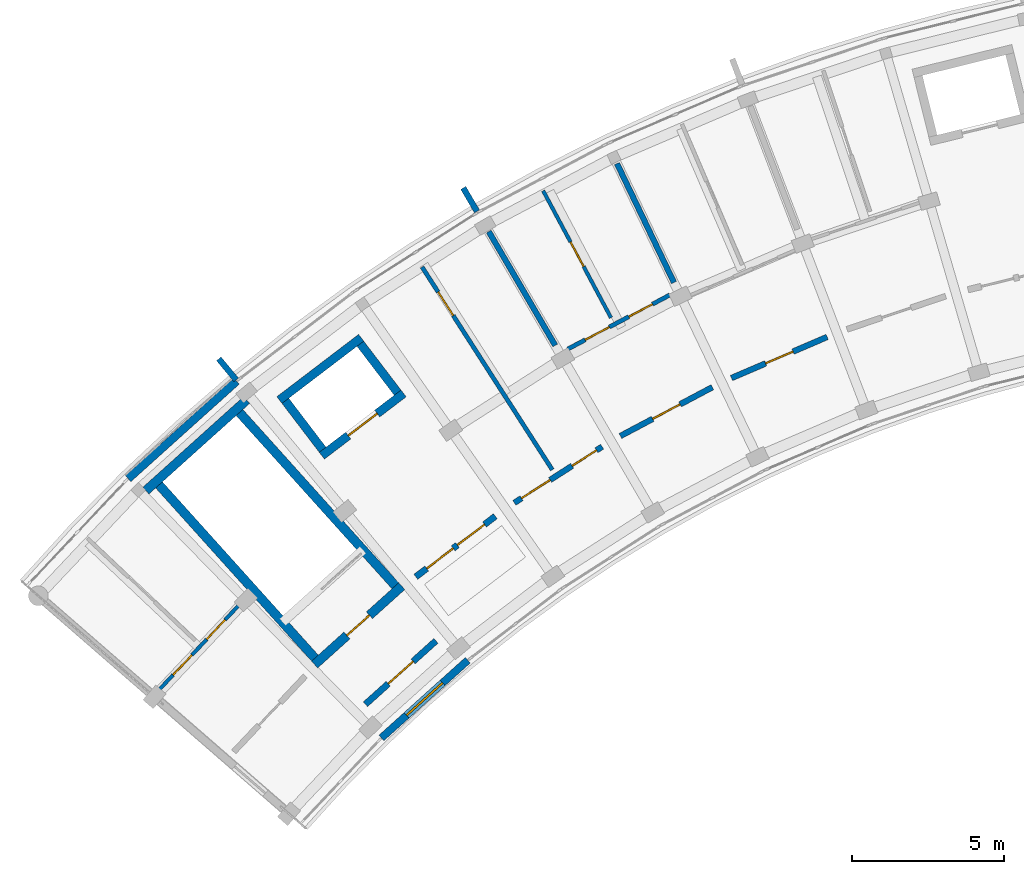
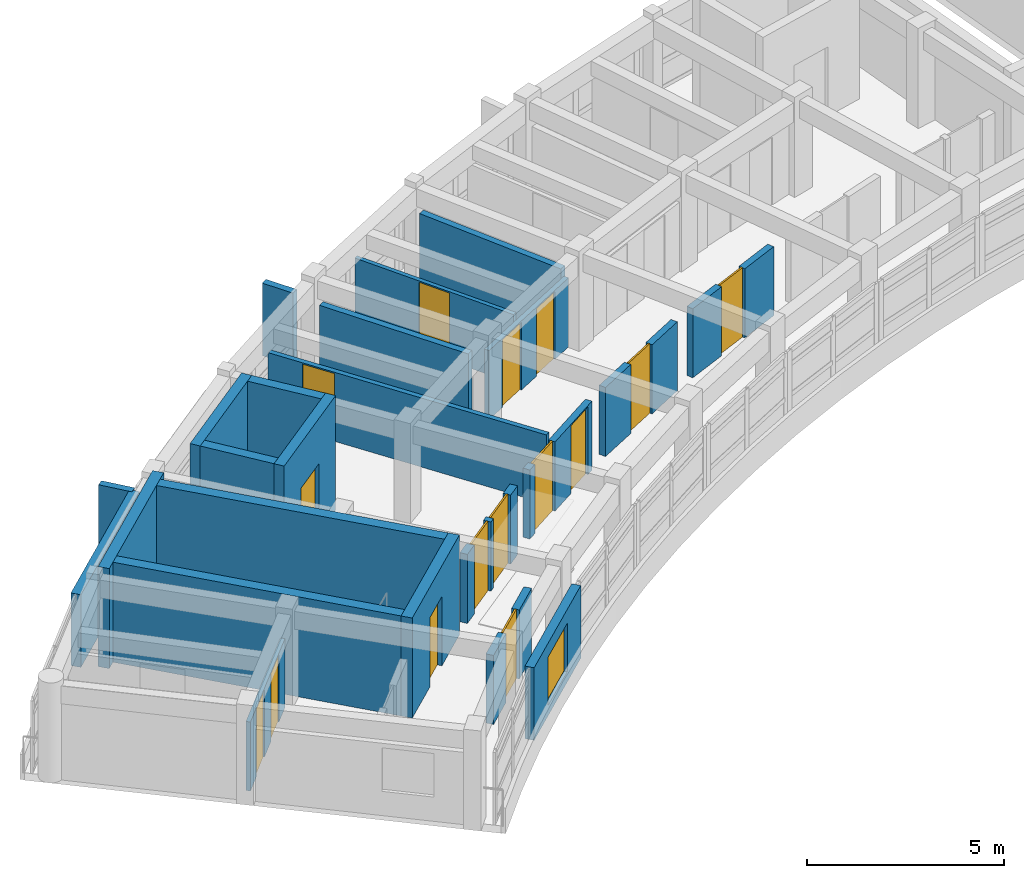
# One storey, part 8 of 11: 23 walls, 15 doors, 1 window, 16 openings.
"""IFC4 building model written with IfcOpenShell, lengths in metres."""

from ifc_helpers import new_model, si_unit, direction, frame, frame_2d, origin, place, context, subcontext, project, spatial, rectangle, extrude, material, layer, layer_set, type_object, element, fill, save


model = new_model("IFC4")

# Units and contexts
model_context = context("Model", 3, precision=1e-05, world=origin(), true_north=direction((0.0, 1.0)))
body_context = subcontext(model_context, "Body", "Model", "MODEL_VIEW")
ifc_project = project(units=[si_unit("LENGTHUNIT", "METRE"), si_unit("AREAUNIT", "SQUARE_METRE"), si_unit("VOLUMEUNIT", "CUBIC_METRE"), si_unit("PLANEANGLEUNIT", "RADIAN"), si_unit("MASSUNIT", "GRAM", prefix="KILO")], contexts=[model_context])

# Site, building, storey
site_placement = place(None, origin())
site = spatial("IfcSite", under=ifc_project, at=site_placement, CompositionType="ELEMENT")
building_placement = place(site_placement, origin())
building = spatial("IfcBuilding", under=site, at=building_placement, Name="Zimvara Arc Housing Community", CompositionType="ELEMENT")
storey_placement = place(building_placement, frame((0.0, 0.0, 42.199951171875)))
storey = spatial("IfcBuildingStorey", under=building, at=storey_placement, Name="L13", CompositionType="ELEMENT", Elevation=42.199951171875)

# Walls
ifc_material_1 = material(Name="Board-Marked Fair-Faced Concrete C35/45", Category="concrete")
ifc_layer_1 = layer(ifc_material_1, 0.195068359375)
ifc_layer_set_1 = layer_set([ifc_layer_1], Name="Board-Marked Fair-Faced Concrete C35/45")
wall_type_1 = type_object("IfcWallType", Name="EWL-PARA-195", PredefinedType="PARAPET", material=ifc_layer_set_1)
wall_1_placement = place(storey_placement, frame((7.09228515625, 90.25732421875, 0.0), z_axis=(0.0, 0.0, 1.0), x_axis=(-0.637967316825, 0.770063440674, 0.0)))
element("IfcWall", 1, at=wall_1_placement, inside=storey, type_object=wall_type_1, Name="finwall:blkA:L13:out:b2", PredefinedType="PARAPET", context=body_context, shape_type="SweptSolid", body=[
    extrude(rectangle(XDim=0.900146484375, YDim=0.195068359375, at=frame_2d((0.4501953125, 0.0))), origin(), (0.0, 0.0, 1.0), 2.25),
])
wall_2_placement = place(storey_placement, frame((15.038818359375, 95.8134765625, 0.0), z_axis=(0.0, 0.0, 1.0), x_axis=(-0.504326383773, 0.863513114336, 0.0)))
element("IfcWall", 2, at=wall_2_placement, inside=storey, type_object=wall_type_1, Name="finwall:blkA:L13:out:b4", PredefinedType="PARAPET", context=body_context, shape_type="SweptSolid", body=[
    extrude(rectangle(XDim=0.89990234375, YDim=0.195068359375, at=frame_2d((0.449951171875, 0.0))), origin(), (0.0, 0.0, 1.0), 2.25),
])

# Wall, opening, window
ifc_material_2 = material(Name="Pigmented Fair-Faced Concrete C35/45", Category="concrete")
ifc_layer_2 = layer(ifc_material_2, 0.2451171875)
ifc_layer_set_2 = layer_set([ifc_layer_2], Name="Pigmented Fair-Faced Concrete C35/45")
wall_type_2 = type_object("IfcWallType", Name="EWL-PIGM-245", PredefinedType="SOLIDWALL", material=ifc_layer_set_2)
wall_3_placement = place(storey_placement, frame((11.88427734375, 78.43994140625, 0.0), z_axis=(0.0, 0.0, 1.0), x_axis=(0.743363835609, 0.668887290886, 0.0)))
wall_3 = element("IfcWall", 3, at=wall_3_placement, inside=storey, type_object=wall_type_2, Name="ewall:blkA:L13:in:b1", PredefinedType="SOLIDWALL", context=body_context, shape_type="SweptSolid", body=[
    extrude(rectangle(XDim=3.83203125, YDim=0.2451171875, at=frame_2d((1.916015625, 0.0))), origin(), (0.0, 0.0, 1.0), 2.25),
])
opening_1_placement = place(wall_3_placement, frame((1.1162109375, 0.0, 0.320068359375)))
opening_1 = element("IfcOpeningElement", 4, at=opening_1_placement, cuts=wall_3, Name="Opening W03", PredefinedType="OPENING", context=body_context, shape_type="SweptSolid", body=[
    extrude(rectangle(XDim=1.60009765625, YDim=1.5, at=frame_2d((0.800048828125, 0.75))), frame((0.0, 0.132568359375, 0.0), z_axis=(0.0, -1.0, 0.0), x_axis=(1.0, 0.0, 0.0)), (0.0, 0.0, 1.0), 0.26513671875),
])
ifc_material_3 = material(Name="Solar Control Low-E Double Glazing", Category="glass")
window_type = type_object("IfcWindowType", Name="WIN-RES-1600x1500", PartitioningType="DOUBLE_PANEL_VERTICAL", PredefinedType="WINDOW", material=ifc_material_3)
window_placement = place(opening_1_placement, origin())
window = element("IfcWindow", 5, at=window_placement, inside=storey, type_object=window_type, Name="win:blkA:L13:in:b1", OverallHeight=1.5, OverallWidth=1.60009765625, PartitioningType="DOUBLE_PANEL_VERTICAL", PredefinedType="WINDOW", context=body_context, shape_type="SweptSolid", body=[
    extrude(rectangle(XDim=1.60009765625, YDim=1.5, at=frame_2d((0.800048828125, 0.75))), frame((0.0, 0.030029296875, 0.0), z_axis=(0.0, -1.0, 0.0), x_axis=(1.0, 0.0, 0.0)), (0.0, 0.0, 1.0), 0.06005859375),
])
fill(opening_1, window)

# Wall
ifc_material_4 = material(Name="Board-Marked Fair-Faced Concrete C35/45", Category="concrete")
ifc_layer_3 = layer(ifc_material_4, 0.26806640625)
ifc_layer_set_3 = layer_set([ifc_layer_3], Name="Board-Marked Fair-Faced Concrete C35/45")
wall_type_3 = type_object("IfcWallType", Name="EWL-VAR-21", PredefinedType="SOLIDWALL", material=ifc_layer_set_3)
wall_4_placement = place(storey_placement, frame((3.528076171875, 86.996826171875, 0.0), z_axis=(0.0, 0.0, 1.0), x_axis=(0.743387539862, 0.668860946369, 0.0)))
element("IfcWall", 6, at=wall_4_placement, inside=storey, type_object=wall_type_3, Name="ewall:blkA:L13:out:b1", PredefinedType="SOLIDWALL", context=body_context, shape_type="SweptSolid", body=[
    extrude(rectangle(XDim=4.80908203125, YDim=0.26806640625, at=frame_2d((2.404541015625, 0.0))), origin(), (0.0, 0.0, 1.0), 2.25),
])

# Wall, opening, door
ifc_material_5 = material(Name="Concrete C35/45", Category="concrete")
ifc_layer_4 = layer(ifc_material_5, 0.2099609375)
ifc_layer_set_4 = layer_set([ifc_layer_4], Name="Concrete C35/45")
wall_type_4 = type_object("IfcWallType", Name="IWL-CCF-210", PredefinedType="SOLIDWALL", material=ifc_layer_set_4)
wall_5_placement = place(storey_placement, frame((11.357177734375, 79.5517578125, 0.0), z_axis=(0.0, 0.0, 1.0), x_axis=(0.743387266925, 0.668861249718, 0.0)))
wall_5 = element("IfcWall", 7, at=wall_5_placement, inside=storey, type_object=wall_type_4, Name="iwall:blkA:L13:ccf_div:b1", PredefinedType="SOLIDWALL", context=body_context, shape_type="SweptSolid", body=[
    extrude(rectangle(XDim=3.12841796875, YDim=0.2099609375, at=frame_2d((1.564208984375, 0.0))), origin(), (0.0, 0.0, 1.0), 2.14013671875),
])
opening_2_placement = place(wall_5_placement, frame((1.014404296875, 0.0, 0.0)))
opening_2 = element("IfcOpeningElement", 8, at=opening_2_placement, cuts=wall_5, Name="Opening FD-CCF1", PredefinedType="OPENING", context=body_context, shape_type="SweptSolid", body=[
    extrude(rectangle(XDim=1.10009765625, YDim=2.14990234375, at=frame_2d((0.550048828125, 1.074951171875))), frame((0.0, 0.114990234375, 0.0), z_axis=(0.0, -1.0, 0.0), x_axis=(1.0, 0.0, 0.0)), (0.0, 0.0, 1.0), 0.22998046875),
])
ifc_material_6 = material(Name="Anodised Aluminium AW-6063", Category="aluminium")
door_type_1 = type_object("IfcDoorType", Name="IDR-CCF-1100x2150", OperationType="NOTDEFINED", PredefinedType="DOOR", material=ifc_material_6)
door_1_placement = place(opening_2_placement, origin())
door_1 = element("IfcDoor", 9, at=door_1_placement, inside=storey, type_object=door_type_1, Name="idoor:blkA:L13:ccf_in:b1", OperationType="SINGLE_SWING_LEFT", OverallHeight=2.14990234375, OverallWidth=1.10009765625, PredefinedType="DOOR", context=body_context, shape_type="SweptSolid", body=[
    extrude(rectangle(XDim=1.10009765625, YDim=2.14990234375, at=frame_2d((0.550048828125, 1.074951171875))), frame((0.0, 0.02490234375, 0.0), z_axis=(0.0, -1.0, 0.0), x_axis=(1.0, 0.0, 0.0)), (0.0, 0.0, 1.0), 0.050048828125),
])
fill(opening_2, door_1)

# Wall, openings, doors
wall_6_placement = place(storey_placement, frame((13.021240234375, 83.758544921875, 0.0), z_axis=(0.0, 0.0, 1.0), x_axis=(0.795498026433, 0.605956178235, 0.0)))
wall_6 = element("IfcWall", 10, at=wall_6_placement, inside=storey, type_object=wall_type_4, Name="iwall:blkA:L13:ll_div:b2", PredefinedType="SOLIDWALL", context=body_context, shape_type="SweptSolid", body=[
    extrude(rectangle(XDim=3.296142578125, YDim=0.2099609375, at=frame_2d((1.64794921875, 0.0))), origin(), (0.0, 0.0, 1.0), 2.14013671875),
])
opening_3_placement = place(wall_6_placement, frame((0.449951171875, 0.0, 0.0)))
opening_3 = element("IfcOpeningElement", 11, at=opening_3_placement, cuts=wall_6, Name="Opening FD-CCF1", PredefinedType="OPENING", context=body_context, shape_type="SweptSolid", body=[
    extrude(rectangle(XDim=1.10009765625, YDim=2.14990234375, at=frame_2d((0.550048828125, 1.074951171875))), frame((0.0, 0.114990234375, 0.0), z_axis=(0.0, -1.0, 0.0), x_axis=(1.0, 0.0, 0.0)), (0.0, 0.0, 1.0), 0.22998046875),
])
opening_4_placement = place(wall_6_placement, frame((1.72607421875, 0.0, 0.0)))
opening_4 = element("IfcOpeningElement", 12, at=opening_4_placement, cuts=wall_6, Name="Opening D07", PredefinedType="OPENING", context=body_context, shape_type="SweptSolid", body=[
    extrude(rectangle(XDim=1.1201171875, YDim=2.14990234375, at=frame_2d((0.56005859375, 1.074951171875))), frame((0.0, 0.114990234375, 0.0), z_axis=(0.0, -1.0, 0.0), x_axis=(1.0, 0.0, 0.0)), (0.0, 0.0, 1.0), 0.22998046875),
])
ifc_material_7 = material(Name="Mozambican Hardwood", Category="wood")
door_type_2 = type_object("IfcDoorType", Name="IDR-AMN-1120x2150", OperationType="NOTDEFINED", PredefinedType="DOOR", material=ifc_material_7)
door_2_placement = place(opening_4_placement, origin())
door_2 = element("IfcDoor", 13, at=door_2_placement, inside=storey, type_object=door_type_2, Name="idoor:blkA:L13:rs_in:b2", OperationType="SINGLE_SWING_LEFT", OverallHeight=2.14990234375, OverallWidth=1.1201171875, PredefinedType="DOOR", context=body_context, shape_type="SweptSolid", body=[
    extrude(rectangle(XDim=1.1201171875, YDim=2.14990234375, at=frame_2d((0.56005859375, 1.074951171875))), frame((0.0, 0.02490234375, 0.0), z_axis=(0.0, -1.0, 0.0), x_axis=(1.0, 0.0, 0.0)), (0.0, 0.0, 1.0), 0.050048828125),
])
fill(opening_4, door_2)
door_3_placement = place(opening_3_placement, origin())
door_3 = element("IfcDoor", 14, at=door_3_placement, inside=storey, type_object=door_type_1, Name="idoor:blkA:L13:ll_in:b2", OperationType="SINGLE_SWING_RIGHT", OverallHeight=2.14990234375, OverallWidth=1.10009765625, PredefinedType="DOOR", context=body_context, shape_type="SweptSolid", body=[
    extrude(rectangle(XDim=1.10009765625, YDim=2.14990234375, at=frame_2d((0.550048828125, 1.074951171875))), frame((0.0, 0.02490234375, 0.0), z_axis=(0.0, -1.0, 0.0), x_axis=(1.0, 0.0, 0.0)), (0.0, 0.0, 1.0), 0.050048828125),
])
fill(opening_3, door_3)

ifc_material_8 = material(Name="Concrete C35/45", Category="concrete")
ifc_layer_5 = layer(ifc_material_8, 0.18994140625)
ifc_layer_set_5 = layer_set([ifc_layer_5], Name="Concrete C35/45")
wall_type_5 = type_object("IfcWallType", Name="IWL-CORR-190", PredefinedType="SOLIDWALL", material=ifc_layer_set_5)
wall_7_placement = place(storey_placement, frame((16.272216796875, 86.198974609375, 0.0), z_axis=(0.0, 0.0, 1.0), x_axis=(0.842257205985, 0.539075874963, 0.0)))
wall_7 = element("IfcWall", 15, at=wall_7_placement, inside=storey, type_object=wall_type_5, Name="iwall:blkA:L13:corr_out:b3", PredefinedType="SOLIDWALL", context=body_context, shape_type="SweptSolid", body=[
    extrude(rectangle(XDim=3.43603515625, YDim=0.18994140625, at=frame_2d((1.718017578125, 0.0))), origin(), (0.0, 0.0, 1.0), 2.14013671875),
])
opening_5_placement = place(wall_7_placement, frame((0.280029296875, 0.0, 0.0)))
opening_5 = element("IfcOpeningElement", 16, at=opening_5_placement, cuts=wall_7, Name="Opening D07", PredefinedType="OPENING", context=body_context, shape_type="SweptSolid", body=[
    extrude(rectangle(XDim=1.1201171875, YDim=2.14990234375, at=frame_2d((0.56005859375, 1.074951171875))), frame((0.0, 0.10498046875, 0.0), z_axis=(0.0, -1.0, 0.0), x_axis=(1.0, 0.0, 0.0)), (0.0, 0.0, 1.0), 0.2099609375),
])
opening_6_placement = place(wall_7_placement, frame((2.26611328125, 0.0, 0.0)))
opening_6 = element("IfcOpeningElement", 17, at=opening_6_placement, cuts=wall_7, Name="Opening D06", PredefinedType="OPENING", context=body_context, shape_type="SweptSolid", body=[
    extrude(rectangle(XDim=0.949951171875, YDim=2.10009765625, at=frame_2d((0.47509765625, 1.050048828125))), frame((0.0, 0.10498046875, 0.0), z_axis=(0.0, -1.0, 0.0), x_axis=(1.0, 0.0, 0.0)), (0.0, 0.0, 1.0), 0.2099609375),
])
door_4_placement = place(opening_5_placement, origin())
door_4 = element("IfcDoor", 18, at=door_4_placement, inside=storey, type_object=door_type_2, Name="idoor:blkA:L13:amen:b3", OperationType="SINGLE_SWING_RIGHT", OverallHeight=2.14990234375, OverallWidth=1.1201171875, PredefinedType="DOOR", context=body_context, shape_type="SweptSolid", body=[
    extrude(rectangle(XDim=1.1201171875, YDim=2.14990234375, at=frame_2d((0.56005859375, 1.074951171875))), frame((0.0, 0.02490234375, 0.0), z_axis=(0.0, -1.0, 0.0), x_axis=(1.0, 0.0, 0.0)), (0.0, 0.0, 1.0), 0.050048828125),
])
fill(opening_5, door_4)
ifc_material_9 = material(Name="Mozambican Hardwood", Category="wood")
door_type_3 = type_object("IfcDoorType", Name="IDR-AWC-0950x2100", OperationType="NOTDEFINED", PredefinedType="DOOR", material=ifc_material_9)
door_5_placement = place(opening_6_placement, origin())
door_5 = element("IfcDoor", 19, at=door_5_placement, inside=storey, type_object=door_type_3, Name="idoor:blkA:L13:cawc:b3", OperationType="SINGLE_SWING_LEFT", OverallHeight=2.10009765625, OverallWidth=0.949951171875, PredefinedType="DOOR", context=body_context, shape_type="SweptSolid", body=[
    extrude(rectangle(XDim=0.949951171875, YDim=2.10009765625, at=frame_2d((0.47509765625, 1.050048828125))), frame((0.0, 0.02490234375, 0.0), z_axis=(0.0, -1.0, 0.0), x_axis=(1.0, 0.0, 0.0)), (0.0, 0.0, 1.0), 0.050048828125),
])
fill(opening_6, door_5)

# Wall, opening, door
wall_8_placement = place(storey_placement, frame((19.770263671875, 88.40380859375, 0.0), z_axis=(0.0, 0.0, 1.0), x_axis=(0.883410853063, 0.468599258099, 0.0)))
wall_8 = element("IfcWall", 20, at=wall_8_placement, inside=storey, type_object=wall_type_5, Name="iwall:blkA:L13:corr_out:b4", PredefinedType="SOLIDWALL", context=body_context, shape_type="SweptSolid", body=[
    extrude(rectangle(XDim=3.43603515625, YDim=0.18994140625, at=frame_2d((1.718017578125, 0.0))), origin(), (0.0, 0.0, 1.0), 2.14013671875),
])
opening_7_placement = place(wall_8_placement, frame((1.2080078125, 0.0, 0.0)))
opening_7 = element("IfcOpeningElement", 21, at=opening_7_placement, cuts=wall_8, Name="Opening FD-FL2", PredefinedType="OPENING", context=body_context, shape_type="SweptSolid", body=[
    extrude(rectangle(XDim=1.02001953125, YDim=2.14990234375, at=frame_2d((0.510009765625, 1.074951171875))), frame((0.0, 0.10498046875, 0.0), z_axis=(0.0, -1.0, 0.0), x_axis=(1.0, 0.0, 0.0)), (0.0, 0.0, 1.0), 0.2099609375),
])
ifc_material_10 = material(Name="Mozambican Hardwood", Category="wood")
door_type_4 = type_object("IfcDoorType", Name="IDR-FLAT-1020x2150", OperationType="NOTDEFINED", PredefinedType="DOOR", material=ifc_material_10)
door_6_placement = place(opening_7_placement, origin())
door_6 = element("IfcDoor", 22, at=door_6_placement, inside=storey, type_object=door_type_4, Name="idoor:blkA:L13:flat:b4", OperationType="SINGLE_SWING_LEFT", OverallHeight=2.14990234375, OverallWidth=1.02001953125, PredefinedType="DOOR", context=body_context, shape_type="SweptSolid", body=[
    extrude(rectangle(XDim=1.02001953125, YDim=2.14990234375, at=frame_2d((0.510009765625, 1.074951171875))), frame((0.0, 0.02490234375, 0.0), z_axis=(0.0, -1.0, 0.0), x_axis=(1.0, 0.0, 0.0)), (0.0, 0.0, 1.0), 0.050048828125),
])
fill(opening_7, door_6)

wall_9_placement = place(storey_placement, frame((23.4365234375, 90.31591796875, 0.0), z_axis=(0.0, 0.0, 1.0), x_axis=(0.918718172399, 0.394913813008, 0.0)))
wall_9 = element("IfcWall", 23, at=wall_9_placement, inside=storey, type_object=wall_type_5, Name="iwall:blkA:L13:corr_out:b5", PredefinedType="SOLIDWALL", context=body_context, shape_type="SweptSolid", body=[
    extrude(rectangle(XDim=3.43603515625, YDim=0.18994140625, at=frame_2d((1.718017578125, 0.0))), origin(), (0.0, 0.0, 1.0), 2.14013671875),
])
opening_8_placement = place(wall_9_placement, frame((1.22802734375, 0.0, 0.0)))
opening_8 = element("IfcOpeningElement", 24, at=opening_8_placement, cuts=wall_9, Name="Opening FD-FL1", PredefinedType="OPENING", context=body_context, shape_type="SweptSolid", body=[
    extrude(rectangle(XDim=0.97998046875, YDim=2.14990234375, at=frame_2d((0.489990234375, 1.074951171875))), frame((0.0, 0.10498046875, 0.0), z_axis=(0.0, -1.0, 0.0), x_axis=(1.0, 0.0, 0.0)), (0.0, 0.0, 1.0), 0.2099609375),
])
ifc_material_11 = material(Name="Mozambican Hardwood", Category="wood")
door_type_5 = type_object("IfcDoorType", Name="IDR-FLAT-0980x2150", OperationType="NOTDEFINED", PredefinedType="DOOR", material=ifc_material_11)
door_7_placement = place(opening_8_placement, origin())
door_7 = element("IfcDoor", 25, at=door_7_placement, inside=storey, type_object=door_type_5, Name="idoor:blkA:L13:flat:b5", OperationType="SINGLE_SWING_LEFT", OverallHeight=2.14990234375, OverallWidth=0.97998046875, PredefinedType="DOOR", context=body_context, shape_type="SweptSolid", body=[
    extrude(rectangle(XDim=0.97998046875, YDim=2.14990234375, at=frame_2d((0.489990234375, 1.074951171875))), frame((0.0, 0.02490234375, 0.0), z_axis=(0.0, -1.0, 0.0), x_axis=(1.0, 0.0, 0.0)), (0.0, 0.0, 1.0), 0.050048828125),
])
fill(opening_8, door_7)

# Walls
ifc_material_12 = material(Name="Concrete C35/45", Category="concrete")
ifc_layer_6 = layer(ifc_material_12, 0.18505859375)
ifc_layer_set_6 = layer_set([ifc_layer_6], Name="Concrete C35/45")
wall_type_6 = type_object("IfcWallType", Name="IWL-FLAT-185", PredefinedType="SOLIDWALL", material=ifc_layer_set_6)
for number, where, z_axis, x_axis, name in (
    (26, (17.62060546875, 91.391845703125, 0.0), (0.0, 0.0, 1.0), (-0.504216452091, 0.863577309475, 0.0), "iwall:blkA:L13:party:b4"),
    (27, (21.537841796875, 93.469482421875, 0.0), (0.0, 0.0, 1.0), (-0.432086898897, 0.901831975371, 0.0), "iwall:blkA:L13:party:b5"),
):
    element("IfcWall", number, at=place(storey_placement, frame(where, z_axis=z_axis, x_axis=x_axis)), inside=storey, type_object=wall_type_6, Name=name, PredefinedType="SOLIDWALL", context=body_context, shape_type="SweptSolid", body=[
        extrude(rectangle(XDim=4.35009765625, YDim=0.18505859375, at=frame_2d((2.175048828125, 0.0))), origin(), (0.0, 0.0, 1.0), 2.14013671875),
    ])

# Wall, openings, doors
ifc_material_13 = material(Name="Painted Acoustic Plasterboard")
ifc_layer_7 = layer(ifc_material_13, 0.1201171875)
ifc_layer_set_7 = layer_set([ifc_layer_7], Name="Painted Acoustic Plasterboard")
wall_type_7 = type_object("IfcWallType", Name="IWL-PART-120", PredefinedType="PARTITIONING", material=ifc_layer_set_7)
wall_10_placement = place(storey_placement, frame((4.564697265625, 80.046875, 0.0), z_axis=(0.0, 0.0, 1.0), x_axis=(0.686300649561, 0.727317962388, 0.0)))
wall_10 = element("IfcWall", 28, at=wall_10_placement, inside=storey, type_object=wall_type_7, Name="iwall:blkA:L13:srv:b0", PredefinedType="PARTITIONING", context=body_context, shape_type="SweptSolid", body=[
    extrude(rectangle(XDim=3.79736328125, YDim=0.1201171875, at=frame_2d((1.898681640625, 0.0))), origin(), (0.0, 0.0, 1.0), 2.14013671875),
])
opening_9_placement = place(wall_10_placement, frame((0.64990234375, 0.0, 0.0)))
opening_9 = element("IfcOpeningElement", 29, at=opening_9_placement, cuts=wall_10, Name="Opening D01", PredefinedType="OPENING", context=body_context, shape_type="SweptSolid", body=[
    extrude(rectangle(XDim=0.89990234375, YDim=2.10009765625, at=frame_2d((0.449951171875, 1.050048828125))), frame((0.0, 0.070068359375, 0.0), z_axis=(0.0, -1.0, 0.0), x_axis=(1.0, 0.0, 0.0)), (0.0, 0.0, 1.0), 0.14013671875),
])
opening_10_placement = place(wall_10_placement, frame((2.267333984375, 0.0, 0.0)))
opening_10 = element("IfcOpeningElement", 30, at=opening_10_placement, cuts=wall_10, Name="Opening D05", PredefinedType="OPENING", context=body_context, shape_type="SweptSolid", body=[
    extrude(rectangle(XDim=0.8798828125, YDim=2.10009765625, at=frame_2d((0.43994140625, 1.050048828125))), frame((0.0, 0.070068359375, 0.0), z_axis=(0.0, -1.0, 0.0), x_axis=(1.0, 0.0, 0.0)), (0.0, 0.0, 1.0), 0.14013671875),
])
ifc_material_14 = material(Name="Mozambican Hardwood", Category="wood")
door_type_6 = type_object("IfcDoorType", Name="IDR-RM-0900x2100", OperationType="NOTDEFINED", PredefinedType="DOOR", material=ifc_material_14)
door_8_placement = place(opening_9_placement, origin())
door_8 = element("IfcDoor", 31, at=door_8_placement, inside=storey, type_object=door_type_6, Name="idoor:blkA:L13:kit_liv:b0", OperationType="SINGLE_SWING_RIGHT", OverallHeight=2.10009765625, OverallWidth=0.89990234375, PredefinedType="DOOR", context=body_context, shape_type="SweptSolid", body=[
    extrude(rectangle(XDim=0.89990234375, YDim=2.10009765625, at=frame_2d((0.449951171875, 1.050048828125))), frame((0.0, 0.02490234375, 0.0), z_axis=(0.0, -1.0, 0.0), x_axis=(1.0, 0.0, 0.0)), (0.0, 0.0, 1.0), 0.050048828125),
])
fill(opening_9, door_8)
ifc_material_15 = material(Name="Mozambican Hardwood", Category="wood")
door_type_7 = type_object("IfcDoorType", Name="IDR-WC-0880x2100", OperationType="NOTDEFINED", PredefinedType="DOOR", material=ifc_material_15)
door_9_placement = place(opening_10_placement, origin())
door_9 = element("IfcDoor", 32, at=door_9_placement, inside=storey, type_object=door_type_7, Name="idoor:blkA:L13:bath_d:b0", OperationType="SINGLE_SWING_LEFT", OverallHeight=2.10009765625, OverallWidth=0.8798828125, PredefinedType="DOOR", context=body_context, shape_type="SweptSolid", body=[
    extrude(rectangle(XDim=0.8798828125, YDim=2.10009765625, at=frame_2d((0.43994140625, 1.050048828125))), frame((0.0, 0.02490234375, 0.0), z_axis=(0.0, -1.0, 0.0), x_axis=(1.0, 0.0, 0.0)), (0.0, 0.0, 1.0), 0.050048828125),
])
fill(opening_10, door_9)

# Wall, opening, door
wall_11_placement = place(storey_placement, frame((19.46044921875, 92.3056640625, 0.0), z_axis=(0.0, 0.0, 1.0), x_axis=(-0.471228378949, 0.88201123285, 0.0)))
wall_11 = element("IfcWall", 33, at=wall_11_placement, inside=storey, type_object=wall_type_7, Name="iwall:blkA:L13:bed_div:b4", PredefinedType="PARTITIONING", context=body_context, shape_type="SweptSolid", body=[
    extrude(rectangle(XDim=4.75, YDim=0.1201171875, at=frame_2d((2.375, 0.0))), origin(), (0.0, 0.0, 1.0), 2.14013671875),
])
opening_11_placement = place(wall_11_placement, frame((1.9150390625, 0.0, 0.0)))
opening_11 = element("IfcOpeningElement", 34, at=opening_11_placement, cuts=wall_11, Name="Opening D02", PredefinedType="OPENING", context=body_context, shape_type="SweptSolid", body=[
    extrude(rectangle(XDim=0.919921875, YDim=2.10009765625, at=frame_2d((0.4599609375, 1.050048828125))), frame((0.0, 0.070068359375, 0.0), z_axis=(0.0, -1.0, 0.0), x_axis=(1.0, 0.0, 0.0)), (0.0, 0.0, 1.0), 0.14013671875),
])
ifc_material_16 = material(Name="Mozambican Hardwood", Category="wood")
door_type_8 = type_object("IfcDoorType", Name="IDR-RM-0920x2100", OperationType="NOTDEFINED", PredefinedType="DOOR", material=ifc_material_16)
door_10_placement = place(opening_11_placement, origin())
door_10 = element("IfcDoor", 35, at=door_10_placement, inside=storey, type_object=door_type_8, Name="idoor:blkA:L13:bed_d:b4", OperationType="SINGLE_SWING_RIGHT", OverallHeight=2.10009765625, OverallWidth=0.919921875, PredefinedType="DOOR", context=body_context, shape_type="SweptSolid", body=[
    extrude(rectangle(XDim=0.919921875, YDim=2.10009765625, at=frame_2d((0.4599609375, 1.050048828125))), frame((0.0, 0.02490234375, 0.0), z_axis=(0.0, -1.0, 0.0), x_axis=(1.0, 0.0, 0.0)), (0.0, 0.0, 1.0), 0.050048828125),
])
fill(opening_11, door_10)

ifc_material_17 = material(Name="Painted Acoustic Plasterboard")
ifc_layer_8 = layer(ifc_material_17, 0.139892578125)
ifc_layer_set_8 = layer_set([ifc_layer_8], Name="Painted Acoustic Plasterboard")
wall_type_8 = type_object("IfcWallType", Name="IWL-PART-140", PredefinedType="PARTITIONING", material=ifc_layer_set_8)
wall_12_placement = place(storey_placement, frame((17.52392578125, 87.287841796875, 0.0), z_axis=(0.0, 0.0, 1.0), x_axis=(-0.540338452216, 0.841447774408, 0.0)))
wall_12 = element("IfcWall", 36, at=wall_12_placement, inside=storey, type_object=wall_type_8, Name="iwall:blkA:L13:amen_div:b3", PredefinedType="PARTITIONING", context=body_context, shape_type="SweptSolid", body=[
    extrude(rectangle(XDim=7.949951171875, YDim=0.139892578125, at=frame_2d((3.97509765625, 0.0))), origin(), (0.0, 0.0, 1.0), 2.14013671875),
])
opening_12_placement = place(wall_12_placement, frame((6.050048828125, 0.0, 0.0)))
opening_12 = element("IfcOpeningElement", 37, at=opening_12_placement, cuts=wall_12, Name="Opening D02", PredefinedType="OPENING", context=body_context, shape_type="SweptSolid", body=[
    extrude(rectangle(XDim=0.919921875, YDim=2.10009765625, at=frame_2d((0.4599609375, 1.050048828125))), frame((0.0, 0.079833984375, 0.0), z_axis=(0.0, -1.0, 0.0), x_axis=(1.0, 0.0, 0.0)), (0.0, 0.0, 1.0), 0.159912109375),
])
door_11_placement = place(opening_12_placement, origin())
door_11 = element("IfcDoor", 38, at=door_11_placement, inside=storey, type_object=door_type_8, Name="idoor:blkA:L13:laund_d:b3", OperationType="SINGLE_SWING_RIGHT", OverallHeight=2.10009765625, OverallWidth=0.919921875, PredefinedType="DOOR", context=body_context, shape_type="SweptSolid", body=[
    extrude(rectangle(XDim=0.919921875, YDim=2.10009765625, at=frame_2d((0.4599609375, 1.050048828125))), frame((0.0, 0.02490234375, 0.0), z_axis=(0.0, -1.0, 0.0), x_axis=(1.0, 0.0, 0.0)), (0.0, 0.0, 1.0), 0.050048828125),
])
fill(opening_12, door_11)

# Wall, openings, doors
wall_13_placement = place(storey_placement, frame((18.036865234375, 91.2734375, 0.0), z_axis=(0.0, 0.0, 1.0), x_axis=(0.883441603894, 0.468541281543, 0.0)))
wall_13 = element("IfcWall", 39, at=wall_13_placement, inside=storey, type_object=wall_type_8, Name="iwall:blkA:L13:srv:b4", PredefinedType="PARTITIONING", context=body_context, shape_type="SweptSolid", body=[
    extrude(rectangle(XDim=3.8095703125, YDim=0.139892578125, at=frame_2d((1.90478515625, 0.0))), origin(), (0.0, 0.0, 1.0), 2.14013671875),
])
opening_13_placement = place(wall_13_placement, frame((0.64990234375, 0.0, 0.0)))
opening_13 = element("IfcOpeningElement", 40, at=opening_13_placement, cuts=wall_13, Name="Opening D01", PredefinedType="OPENING", context=body_context, shape_type="SweptSolid", body=[
    extrude(rectangle(XDim=0.89990234375, YDim=2.10009765625, at=frame_2d((0.449951171875, 1.050048828125))), frame((0.0, 0.079833984375, 0.0), z_axis=(0.0, -1.0, 0.0), x_axis=(1.0, 0.0, 0.0)), (0.0, 0.0, 1.0), 0.159912109375),
])
opening_14_placement = place(wall_13_placement, frame((2.279541015625, 0.0, 0.0)))
opening_14 = element("IfcOpeningElement", 41, at=opening_14_placement, cuts=wall_13, Name="Opening D05", PredefinedType="OPENING", context=body_context, shape_type="SweptSolid", body=[
    extrude(rectangle(XDim=0.8798828125, YDim=2.10009765625, at=frame_2d((0.43994140625, 1.050048828125))), frame((0.0, 0.079833984375, 0.0), z_axis=(0.0, -1.0, 0.0), x_axis=(1.0, 0.0, 0.0)), (0.0, 0.0, 1.0), 0.159912109375),
])
door_12_placement = place(opening_13_placement, origin())
door_12 = element("IfcDoor", 42, at=door_12_placement, inside=storey, type_object=door_type_6, Name="idoor:blkA:L13:kit_liv:b4", OperationType="SINGLE_SWING_RIGHT", OverallHeight=2.10009765625, OverallWidth=0.89990234375, PredefinedType="DOOR", context=body_context, shape_type="SweptSolid", body=[
    extrude(rectangle(XDim=0.89990234375, YDim=2.10009765625, at=frame_2d((0.449951171875, 1.050048828125))), frame((0.0, 0.02490234375, 0.0), z_axis=(0.0, -1.0, 0.0), x_axis=(1.0, 0.0, 0.0)), (0.0, 0.0, 1.0), 0.050048828125),
])
fill(opening_13, door_12)
door_13_placement = place(opening_14_placement, origin())
door_13 = element("IfcDoor", 43, at=door_13_placement, inside=storey, type_object=door_type_7, Name="idoor:blkA:L13:bath_d:b4", OperationType="SINGLE_SWING_LEFT", OverallHeight=2.10009765625, OverallWidth=0.8798828125, PredefinedType="DOOR", context=body_context, shape_type="SweptSolid", body=[
    extrude(rectangle(XDim=0.8798828125, YDim=2.10009765625, at=frame_2d((0.43994140625, 1.050048828125))), frame((0.0, 0.02490234375, 0.0), z_axis=(0.0, -1.0, 0.0), x_axis=(1.0, 0.0, 0.0)), (0.0, 0.0, 1.0), 0.050048828125),
])
fill(opening_14, door_13)

# Wall, opening, door
ifc_material_18 = material(Name="Concrete C40/50", Category="concrete")
ifc_layer_9 = layer(ifc_material_18, 0.280029296875)
ifc_layer_set_9 = layer_set([ifc_layer_9], Name="Concrete C40/50")
wall_type_9 = type_object("IfcWallType", Name="WL-CORE-280", PredefinedType="SHEAR", material=ifc_layer_set_9)
wall_14_placement = place(storey_placement, frame((12.615966796875, 89.80712890625, 0.0), z_axis=(0.0, 0.0, 1.0), x_axis=(-0.795474703455, -0.605986795371, 0.0)))
wall_14 = element("IfcWall", 44, at=wall_14_placement, inside=storey, type_object=wall_type_9, Name="lwall:LF-A1:L13:front", PredefinedType="SHEAR", context=body_context, shape_type="SweptSolid", body=[
    extrude(rectangle(XDim=3.389892578125, YDim=0.280029296875, at=frame_2d((1.69482421875, 0.0))), origin(), (0.0, 0.0, 1.0), 3.550048828125),
])
opening_15_placement = place(wall_14_placement, frame((1.094970703125, 0.0, 0.0)))
opening_15 = element("IfcOpeningElement", 45, at=opening_15_placement, cuts=wall_14, Name="Opening LD-LF-A1", PredefinedType="OPENING", context=body_context, shape_type="SweptSolid", body=[
    extrude(rectangle(XDim=1.199951171875, YDim=2.14990234375, at=frame_2d((0.60009765625, 1.074951171875))), frame((0.0, 0.14990234375, 0.0), z_axis=(0.0, -1.0, 0.0), x_axis=(1.0, 0.0, 0.0)), (0.0, 0.0, 1.0), 0.300048828125),
])
ifc_material_19 = material(Name="Anodised Aluminium AW-6063", Category="aluminium")
door_type_9 = type_object("IfcDoorType", Name="IDR-LD-1200x2150", OperationType="DOUBLE_DOOR_SLIDING", PredefinedType="DOOR", material=ifc_material_19)
door_14_placement = place(opening_15_placement, origin())
door_14 = element("IfcDoor", 46, at=door_14_placement, inside=storey, type_object=door_type_9, Name="Lift LF-A1 Sliding Landing Door L13", OperationType="DOUBLE_DOOR_SLIDING", OverallHeight=2.14990234375, OverallWidth=1.199951171875, PredefinedType="DOOR", context=body_context, shape_type="SweptSolid", body=[
    extrude(rectangle(XDim=1.199951171875, YDim=2.14990234375, at=frame_2d((0.60009765625, 1.074951171875))), frame((0.0, 0.02490234375, 0.0), z_axis=(0.0, -1.0, 0.0), x_axis=(1.0, 0.0, 0.0)), (0.0, 0.0, 1.0), 0.050048828125),
])
fill(opening_15, door_14)

# Walls
wall_15_placement = place(storey_placement, frame((11.216064453125, 91.644775390625, 0.0), z_axis=(0.0, 0.0, 1.0), x_axis=(-0.795439986025, -0.606032365994, 0.0)))
element("IfcWall", 47, at=wall_15_placement, inside=storey, type_object=wall_type_9, Name="lwall:LF-A1:L13:back", PredefinedType="SHEAR", context=body_context, shape_type="SweptSolid", body=[
    extrude(rectangle(XDim=3.389892578125, YDim=0.280029296875, at=frame_2d((1.69482421875, 0.0))), origin(), (0.0, 0.0, 1.0), 3.550048828125),
])
wall_16_placement = place(storey_placement, frame((12.419677734375, 89.833740234375, 0.0), z_axis=(0.0, 0.0, 1.0), x_axis=(-0.605948992168, 0.795503500238, 0.0)))
element("IfcWall", 48, at=wall_16_placement, inside=storey, type_object=wall_type_9, Name="lwall:LF-A1:L13:left", PredefinedType="SHEAR", context=body_context, shape_type="SweptSolid", body=[
    extrude(rectangle(XDim=2.02978515625, YDim=0.280029296875, at=frame_2d((1.014892578125, 0.0))), origin(), (0.0, 0.0, 1.0), 3.550048828125),
])
wall_17_placement = place(storey_placement, frame((9.94580078125, 87.948974609375, 0.0), z_axis=(0.0, 0.0, 1.0), x_axis=(-0.605891019062, 0.795547656033, 0.0)))
element("IfcWall", 49, at=wall_17_placement, inside=storey, type_object=wall_type_9, Name="lwall:LF-A1:L13:right", PredefinedType="SHEAR", context=body_context, shape_type="SweptSolid", body=[
    extrude(rectangle(XDim=2.030029296875, YDim=0.280029296875, at=frame_2d((1.01513671875, 0.0))), origin(), (0.0, 0.0, 1.0), 3.550048828125),
])

# Wall, opening, door
ifc_material_20 = material(Name="Concrete C40/50", Category="concrete")
ifc_layer_10 = layer(ifc_material_20, 0.300048828125)
ifc_layer_set_10 = layer_set([ifc_layer_10], Name="Concrete C40/50")
wall_type_10 = type_object("IfcWallType", Name="WL-CORE-300", PredefinedType="SHEAR", material=ifc_layer_set_10)
wall_18_placement = place(storey_placement, frame((12.556884765625, 83.4501953125, 0.0), z_axis=(0.0, 0.0, 1.0), x_axis=(-0.743375696158, -0.668874109501, 0.0)))
wall_18 = element("IfcWall", 50, at=wall_18_placement, inside=storey, type_object=wall_type_10, Name="cwall:ST-A1:L13:near", PredefinedType="SHEAR", context=body_context, shape_type="SweptSolid", body=[
    extrude(rectangle(XDim=3.8701171875, YDim=0.300048828125, at=frame_2d((1.93505859375, 0.0))), origin(), (0.0, 0.0, 1.0), 3.10009765625),
])
opening_16_placement = place(wall_18_placement, frame((1.43505859375, 0.0, 0.0)))
opening_16 = element("IfcOpeningElement", 51, at=opening_16_placement, cuts=wall_18, Name="Opening FD-ST1", PredefinedType="OPENING", context=body_context, shape_type="SweptSolid", body=[
    extrude(rectangle(XDim=1.0, YDim=2.14990234375, at=frame_2d((0.5, 1.074951171875))), frame((0.0, 0.159912109375, 0.0), z_axis=(0.0, -1.0, 0.0), x_axis=(1.0, 0.0, 0.0)), (0.0, 0.0, 1.0), 0.320068359375),
])
ifc_material_21 = material(Name="Anodised Aluminium AW-6063", Category="aluminium")
door_type_10 = type_object("IfcDoorType", Name="IDR-ST-1000x2150", OperationType="NOTDEFINED", PredefinedType="DOOR", material=ifc_material_21)
door_15_placement = place(opening_16_placement, origin())
door_15 = element("IfcDoor", 52, at=door_15_placement, inside=storey, type_object=door_type_10, Name="idoor:ST-A1:L13:entry", OperationType="SINGLE_SWING_LEFT", OverallHeight=2.14990234375, OverallWidth=1.0, PredefinedType="DOOR", context=body_context, shape_type="SweptSolid", body=[
    extrude(rectangle(XDim=1.0, YDim=2.14990234375, at=frame_2d((0.5, 1.074951171875))), frame((0.0, 0.02490234375, 0.0), z_axis=(0.0, -1.0, 0.0), x_axis=(1.0, 0.0, 0.0)), (0.0, 0.0, 1.0), 0.050048828125),
])
fill(opening_16, door_15)

# Walls
wall_19_placement = place(storey_placement, frame((7.435546875, 89.59033203125, 0.0), z_axis=(0.0, 0.0, 1.0), x_axis=(-0.743400052815, -0.668847038922, 0.0)))
element("IfcWall", 53, at=wall_19_placement, inside=storey, type_object=wall_type_10, Name="cwall:ST-A1:L13:far", PredefinedType="SHEAR", context=body_context, shape_type="SweptSolid", body=[
    extrude(rectangle(XDim=4.469970703125, YDim=0.300048828125, at=frame_2d((2.23486328125, 0.0))), origin(), (0.0, 0.0, 1.0), 3.10009765625),
])
wall_20_placement = place(storey_placement, frame((12.344970703125, 83.461181640625, 0.0), z_axis=(0.0, 0.0, 1.0), x_axis=(-0.668868253964, 0.743380964808, 0.0)))
element("IfcWall", 54, at=wall_20_placement, inside=storey, type_object=wall_type_10, Name="cwall:ST-A1:L13:left", PredefinedType="SHEAR", context=body_context, shape_type="SweptSolid", body=[
    extrude(rectangle(XDim=7.68994140625, YDim=0.300048828125, at=frame_2d((3.844970703125, 0.0))), origin(), (0.0, 0.0, 1.0), 3.10009765625),
])
wall_21_placement = place(storey_placement, frame((9.691162109375, 81.073486328125, 0.0), z_axis=(0.0, 0.0, 1.0), x_axis=(-0.668885797871, 0.743365179038, 0.0)))
element("IfcWall", 55, at=wall_21_placement, inside=storey, type_object=wall_type_10, Name="cwall:ST-A1:L13:right", PredefinedType="SHEAR", context=body_context, shape_type="SweptSolid", body=[
    extrude(rectangle(XDim=7.690185546875, YDim=0.300048828125, at=frame_2d((3.84521484375, 0.0))), origin(), (0.0, 0.0, 1.0), 3.10009765625),
])

save(model, "model.ifc")
